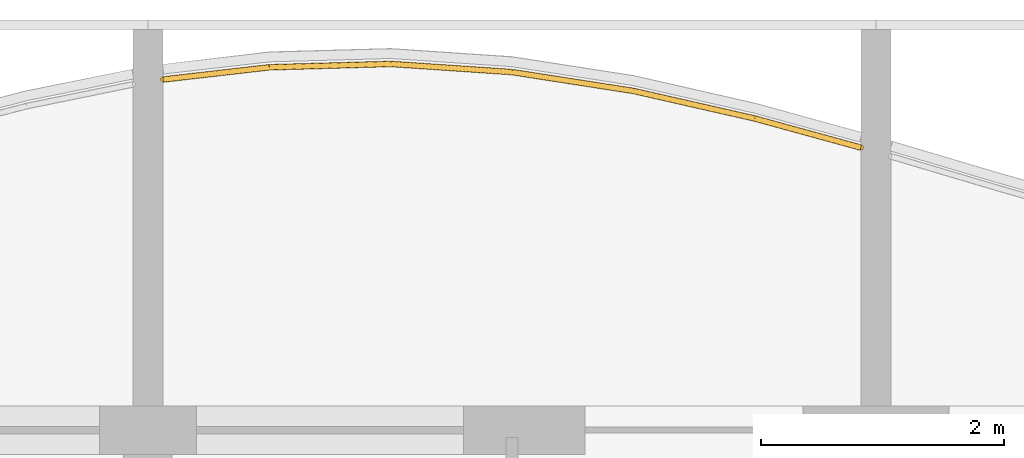
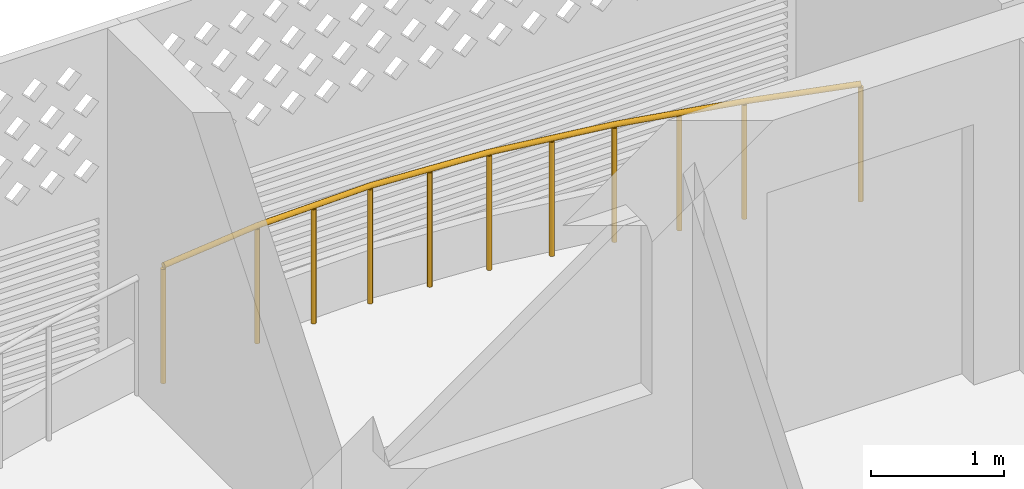
# One storey, part 34 of 44: 1 railing.
"""IFC4 building model written with IfcOpenShell, lengths in metres."""

from ifc_helpers import new_model, si_unit, direction, frame, origin, origin_2d, place, context, subcontext, project, spatial, circle, extrude, material, type_object, element, save


model = new_model("IFC4")

# Units and contexts
model_context = context("Model", 3, precision=1e-05, world=origin(), true_north=direction((0.0, 1.0)))
body_context = subcontext(model_context, "Body", "Model", "MODEL_VIEW")
ifc_project = project(units=[si_unit("LENGTHUNIT", "METRE"), si_unit("AREAUNIT", "SQUARE_METRE"), si_unit("VOLUMEUNIT", "CUBIC_METRE"), si_unit("PLANEANGLEUNIT", "RADIAN"), si_unit("MASSUNIT", "GRAM", prefix="KILO")], contexts=[model_context])

# Site, building, storey
site_placement = place(None, origin())
site = spatial("IfcSite", under=ifc_project, at=site_placement, CompositionType="ELEMENT")
building_placement = place(site_placement, origin())
building = spatial("IfcBuilding", under=site, at=building_placement, Name="Poui Terraces", CompositionType="ELEMENT")
storey_placement = place(building_placement, frame((0.0, 0.0, 30.0)))
storey = spatial("IfcBuildingStorey", under=building, at=storey_placement, Name="L07", CompositionType="ELEMENT", Elevation=30.0)

# Railing
ifc_material = material(Name="Painted steel fretwork", Category="steel")
railing_type = type_object("IfcRailingType", Name="BALCONY GUARD 1100", PredefinedType="GUARDRAIL", material=ifc_material)
railing_placement = place(storey_placement, frame((54.125, 47.689697265625, 0.0)))
element("IfcRailing", 1, at=railing_placement, inside=storey, type_object=railing_type, Name="BALCONY GUARD", PredefinedType="GUARDRAIL", context=body_context, shape_type="SweptSolid", body=[
    extrude(circle(Radius=0.02392578125, at=origin_2d()), frame((0.0, 0.0, 1.076171875), z_axis=(0.99348881845, 0.113929660821, 0.0), x_axis=(-0.113929660821, 0.99348881845, 0.0)), (0.0, 0.0, 1.0), 0.880615234375),
    extrude(circle(Radius=0.02392578125, at=origin_2d()), frame((0.875, 0.100341796875, 1.076171875), z_axis=(0.999612913888, 0.027821257857, 0.0), x_axis=(-0.027821257857, 0.999612913888, 0.0)), (0.0, 0.0, 1.0), 1.00048828125),
    extrude(circle(Radius=0.02392578125, at=origin_2d()), frame((1.875, 0.128173828125, 1.076171875), z_axis=(0.997753790287, -0.066987864338, 0.0), x_axis=(0.066987864338, 0.997753790287, 0.0)), (0.0, 0.0, 1.0), 1.002197265625),
    extrude(circle(Radius=0.02392578125, at=origin_2d()), frame((2.875, 0.06103515625, 1.076171875), z_axis=(0.9881587723, -0.153434809371, 0.0), x_axis=(0.153434809371, 0.9881587723, 0.0)), (0.0, 0.0, 1.0), 1.011962890625),
    extrude(circle(Radius=0.02392578125, at=origin_2d()), frame((3.875, -0.09423828125, 1.076171875), z_axis=(0.975128178395, -0.221641683127, 0.0), x_axis=(0.221641683127, 0.975128178395, 0.0)), (0.0, 0.0, 1.0), 1.025390625),
    extrude(circle(Radius=0.02392578125, at=origin_2d()), frame((4.875, -0.321533203125, 1.076171875), z_axis=(0.964452650042, -0.264255720519, 0.0), x_axis=(0.264255720519, 0.964452650042, 0.0)), (0.0, 0.0, 1.0), 0.9072265625),
    extrude(circle(Radius=0.02099609375, at=origin_2d()), origin(), (0.0, 0.0, 1.0), 1.052001953125),
    extrude(circle(Radius=0.02099609375, at=origin_2d()), frame((0.875, 0.100341796875, 0.0)), (0.0, 0.0, 1.0), 1.052001953125),
    extrude(circle(Radius=0.02099609375, at=origin_2d()), frame((1.375, 0.1142578125, 0.0)), (0.0, 0.0, 1.0), 1.052001953125),
    extrude(circle(Radius=0.02099609375, at=origin_2d()), frame((1.875, 0.128173828125, 0.0)), (0.0, 0.0, 1.0), 1.052001953125),
    extrude(circle(Radius=0.02099609375, at=origin_2d()), frame((2.375, 0.0947265625, 0.0)), (0.0, 0.0, 1.0), 1.052001953125),
    extrude(circle(Radius=0.02099609375, at=origin_2d()), frame((2.875, 0.06103515625, 0.0)), (0.0, 0.0, 1.0), 1.052001953125),
    extrude(circle(Radius=0.02099609375, at=origin_2d()), frame((3.375, -0.0166015625, 0.0)), (0.0, 0.0, 1.0), 1.052001953125),
    extrude(circle(Radius=0.02099609375, at=origin_2d()), frame((3.875, -0.09423828125, 0.0)), (0.0, 0.0, 1.0), 1.052001953125),
    extrude(circle(Radius=0.02099609375, at=origin_2d()), frame((4.375, -0.2080078125, 0.0)), (0.0, 0.0, 1.0), 1.052001953125),
    extrude(circle(Radius=0.02099609375, at=origin_2d()), frame((4.875, -0.321533203125, 0.0)), (0.0, 0.0, 1.0), 1.052001953125),
    extrude(circle(Radius=0.02099609375, at=origin_2d()), frame((5.75, -0.561279296875, 0.0)), (0.0, 0.0, 1.0), 1.052001953125),
])

save(model, "model.ifc")
